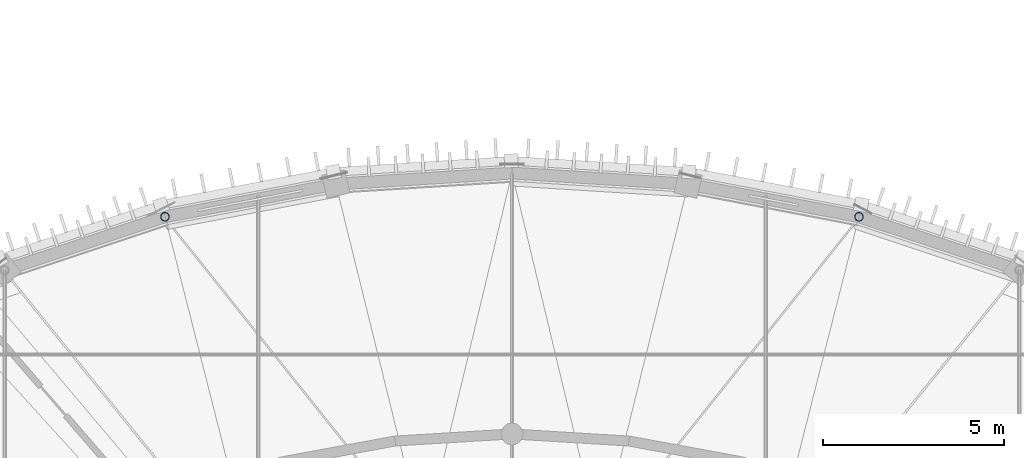
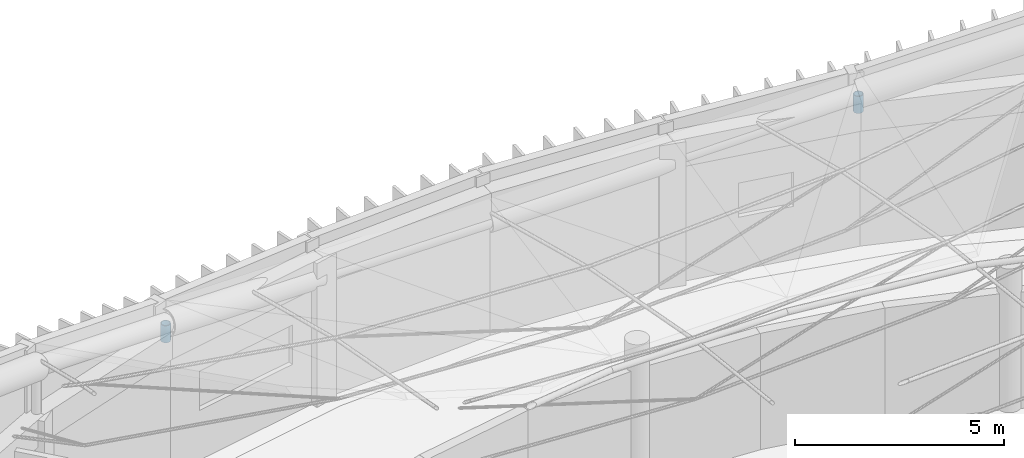
# One storey, part 17 of 36: 2 members.
"""IFC4 building model written with IfcOpenShell, lengths in metres."""

from ifc_helpers import new_model, si_unit, direction, frame, origin, origin_2d, place, context, subcontext, project, spatial, hollow_circle, extrude, material, material_profile, profile_set, type_object, element, save


model = new_model("IFC4")

# Units and contexts
model_context = context("Model", 3, precision=1e-05, world=origin(), true_north=direction((0.0, 1.0)))
body_context = subcontext(model_context, "Body", "Model", "MODEL_VIEW")
ifc_project = project(units=[si_unit("LENGTHUNIT", "METRE"), si_unit("AREAUNIT", "SQUARE_METRE"), si_unit("VOLUMEUNIT", "CUBIC_METRE"), si_unit("PLANEANGLEUNIT", "RADIAN"), si_unit("MASSUNIT", "GRAM", prefix="KILO")], contexts=[model_context])

# Site, building, storey
site_placement = place(None, origin())
site = spatial("IfcSite", under=ifc_project, at=site_placement, CompositionType="ELEMENT")
building_placement = place(site_placement, origin())
building = spatial("IfcBuilding", under=site, at=building_placement, Name="Tarnveldt Headland Concert Hall", CompositionType="ELEMENT")
storey_placement = place(building_placement, frame((0.0, 0.0, 22.800048828125)))
storey = spatial("IfcBuildingStorey", under=building, at=storey_placement, Name="L05", CompositionType="ELEMENT", Elevation=22.800048828125)

# Members
ifc_material = material(Name="Steel S355", Category="steel")
ifc_material_profile = material_profile(ifc_material, hollow_circle(Radius=0.122314453125, WallThickness=0.01611328125, at=origin_2d()), Name="CHS 244.5x16", Category="steel")
ifc_profile_set = profile_set([ifc_material_profile], Name="Steel S355")
member_type = type_object("IfcMemberType", Name="TR-CHORD244", PredefinedType="POST", material=ifc_profile_set)
for number, where, z_axis, x_axis, name in (
    (1, (93.07666015625, 73.2939453125, 3.849853515625), (0.0, 0.0, 1.0), (1.0, 0.0, 0.0), "Saddle ring pedestal strut 8"),
    (2, (73.92333984375, 73.2939453125, 3.849853515625), (0.0, 0.0, 1.0), (1.0, 0.0, 0.0), "Saddle ring pedestal strut 12"),
):
    element("IfcMember", number, at=place(storey_placement, frame(where, z_axis=z_axis, x_axis=x_axis)), inside=storey, type_object=member_type, Name=name, PredefinedType="POST", context=body_context, shape_type="SweptSolid", body=[
        extrude(hollow_circle(Radius=0.122314453125, WallThickness=0.01611328125, at=origin_2d()), origin(), (0.0, 0.0, 1.0), 0.49951171875),
    ])

save(model, "model.ifc")
